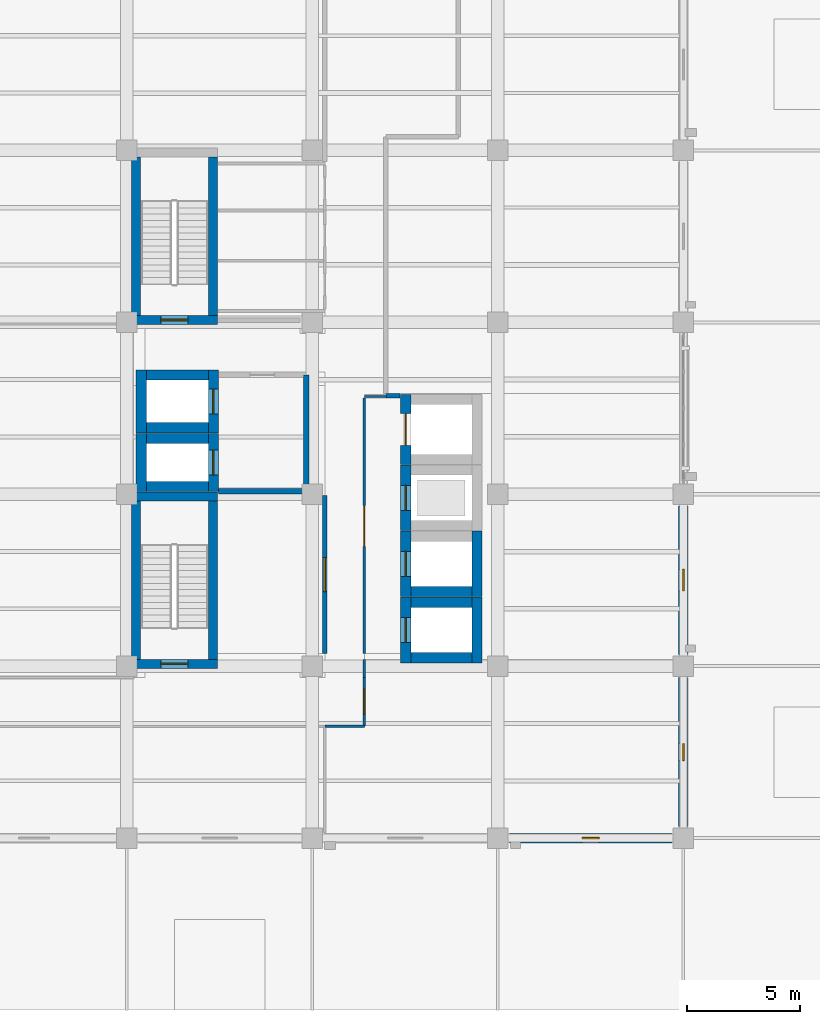
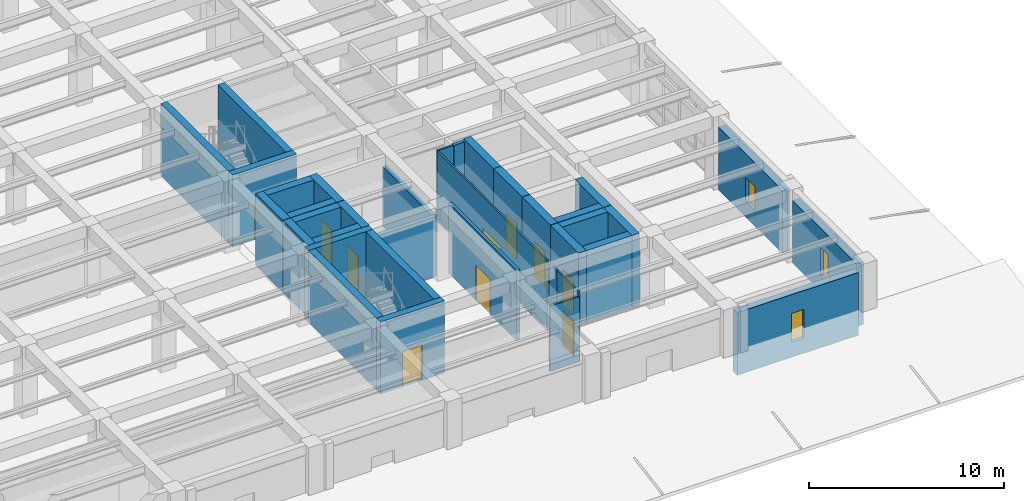
# One storey, part 41 of 57: 36 walls, 11 doors, 3 windows, 14 openings.
"""IFC4 building model written with IfcOpenShell, lengths in metres."""

import ifcopenshell
import ifcopenshell.guid

model = None  # the IFC model being written
_history = None  # IfcOwnerHistory: only IFC2X3 demands one
_inside = {}  # id of a spatial element -> (the spatial element, [elements in it])
_under = {}  # id of a project, library or spatial element -> (it, [spatial elements below it])
_declared = {}  # id of a project -> (the project, [libraries it declares])
_typed = {}  # id of a type object -> (the type object, [elements of that type])
_made_of = {}  # id of a material, layer set ... -> (it, [elements and type objects made of it])


def new_model(schema):
    """Start an empty IFC model of exactly this schema.

    Asked for "IFC4X3", IfcOpenShell would pick the latest addendum, in which some entities
    have other attributes; the version numbers below select the first issue.
    IFC2X3 requires an IfcOwnerHistory on every rooted entity: one is made here for all.
    """
    global model, _history
    if schema == "IFC4X3":
        model = ifcopenshell.file(schema_version=(4, 3, 0, 0))
    else:
        model = ifcopenshell.file(schema=schema)
    _inside.clear()
    _under.clear()
    _declared.clear()
    _typed.clear()
    _made_of.clear()
    _history = None
    if model.schema == "IFC2X3":
        org = make("IfcOrganization", Name="unknown")
        user = make(
            "IfcPersonAndOrganization",
            ThePerson=make("IfcPerson", FamilyName="unknown"),
            TheOrganization=org,
        )
        app = make(
            "IfcApplication",
            ApplicationDeveloper=org,
            Version="unknown",
            ApplicationFullName="unknown",
            ApplicationIdentifier="unknown",
        )
        _history = make(
            "IfcOwnerHistory",
            OwningUser=user,
            OwningApplication=app,
            ChangeAction="ADDED",
            CreationDate=0,
        )
    return model


def make(cls, **values):
    """One entity of the class cls with the attributes given. An attribute that is None is left unset."""
    return model.create_entity(
        cls, **{name: value for name, value in values.items() if value is not None}
    )


def rooted(cls, **values):
    """An entity with a GlobalId (a new one), such as an element, a storey or a relation."""
    return make(cls, GlobalId=ifcopenshell.guid.new(), OwnerHistory=_history, **values)


def si_unit(unit_type, name, prefix=None):
    """IfcSIUnit, for example si_unit("LENGTHUNIT", "METRE", prefix="MILLI")."""
    return make("IfcSIUnit", UnitType=unit_type, Prefix=prefix, Name=name)


def assignment(units):
    """IfcUnitAssignment: the units of a project."""
    return None if units is None else make("IfcUnitAssignment", Units=units)


def point(xyz):
    """IfcCartesianPoint."""
    return None if xyz is None else make("IfcCartesianPoint", Coordinates=xyz)


def direction(xyz):
    """IfcDirection."""
    return None if xyz is None else make("IfcDirection", DirectionRatios=xyz)


def frame(location, z_axis=None, x_axis=None):
    """IfcAxis2Placement3D, a coordinate frame: its origin and axes. An axis left out is left unset."""
    return make(
        "IfcAxis2Placement3D",
        Location=point(location),
        Axis=direction(z_axis),
        RefDirection=direction(x_axis),
    )


def frame_2d(location, x_axis=None):
    """IfcAxis2Placement2D, a coordinate frame in the plane: its origin and x axis."""
    return make(
        "IfcAxis2Placement2D", Location=point(location), RefDirection=direction(x_axis)
    )


def origin():
    """The frame at (0, 0, 0) with its axes left unset."""
    return frame((0.0, 0.0, 0.0))


def place(relative_to, where):
    """IfcLocalPlacement: puts the frame where relative to a parent placement (None: the world)."""
    return make(
        "IfcLocalPlacement", PlacementRelTo=relative_to, RelativePlacement=where
    )


def context(
    kind, dimensions, precision=None, world=None, true_north=None, identifier=None
):
    """IfcGeometricRepresentationContext, for example the 3D "Model" context."""
    return make(
        "IfcGeometricRepresentationContext",
        ContextIdentifier=identifier,
        ContextType=kind,
        CoordinateSpaceDimension=dimensions,
        Precision=precision,
        WorldCoordinateSystem=world,
        TrueNorth=true_north,
    )


def subcontext(parent, identifier, kind, view, scale=None):
    """IfcGeometricRepresentationSubContext, for example "Body" below "Model"."""
    return make(
        "IfcGeometricRepresentationSubContext",
        ContextIdentifier=identifier,
        ContextType=kind,
        ParentContext=parent,
        TargetScale=scale,
        TargetView=view,
    )


def project(units=None, contexts=None):
    """IfcProject with its units and contexts."""
    return rooted(
        "IfcProject",
        Name="project",
        RepresentationContexts=contexts,
        UnitsInContext=assignment(units),
    )


def spatial(cls, under=None, at=None, **own):
    """A site, building, storey or space (cls), placed at a placement, below another one or the project."""
    s = rooted(cls, ObjectPlacement=at, **own)
    if under is not None:
        _under.setdefault(under.id(), (under, []))[1].append(s)
    return s


def profile(cls, at=None, kind="AREA", **sizes):
    """A parametric profile (cls). Its sizes go by their IFC names, for example OverallWidth=200.0."""
    return make(cls, ProfileType=kind, Position=at, **sizes)


def rectangle(**sizes):
    """IfcRectangleProfileDef."""
    return profile("IfcRectangleProfileDef", **sizes)


def extrude(swept, where, along, depth):
    """IfcExtrudedAreaSolid: the profile swept, set in the frame where, extruded along a direction by depth."""
    return make(
        "IfcExtrudedAreaSolid",
        SweptArea=swept,
        Position=where,
        ExtrudedDirection=direction(along),
        Depth=depth,
    )


def shape(context_of_items, identifier, shape_type, items):
    """IfcShapeRepresentation: the items that make up one representation, for example the "Body"."""
    return make(
        "IfcShapeRepresentation",
        ContextOfItems=context_of_items,
        RepresentationIdentifier=identifier,
        RepresentationType=shape_type,
        Items=items,
    )


def material(Name=None, Category=None):
    """IfcMaterial."""
    return make("IfcMaterial", Name=Name, Category=Category)


def layer(
    of_material, thickness, ventilated=None, Name=None, Category=None, Priority=None
):
    """IfcMaterialLayer: one layer of a wall or slab, of a material (None: an air gap)."""
    return make(
        "IfcMaterialLayer",
        Material=of_material,
        LayerThickness=thickness,
        IsVentilated=ventilated,
        Name=Name,
        Category=Category,
        Priority=Priority,
    )


def layer_set(layers, Name=None):
    """IfcMaterialLayerSet."""
    return make("IfcMaterialLayerSet", MaterialLayers=layers, LayerSetName=Name)


def made_of(thing, what):
    """Note that an element or type object is made of a material, layer set ...; save() writes the relation."""
    if what is not None:
        _made_of.setdefault(what.id(), (what, []))[1].append(thing)
    return thing


def type_object(cls, material=None, **own):
    """A type object (cls), such as IfcWallType, which elements share."""
    return made_of(rooted(cls, **own), material)


def element(
    cls,
    number,
    at=None,
    inside=None,
    cuts=None,
    type_object=None,
    material=None,
    context=None,
    identifier="Body",
    shape_type=None,
    held_by="IfcProductDefinitionShape",
    body=None,
    shapes=None,
    **own,
):
    """One element of the class cls, such as IfcWall. Its Tag is "e" and its number.

    at: its placement. inside: the storey or other place that contains it. cuts: it is an
    opening in that element (IfcRelVoidsElement). A single representation is given by context,
    identifier, shape_type and body (its items); several are given by shapes. held_by: the class
    of the entity that holds the representations. save() writes the other relations.
    """
    e = rooted(cls, Tag="e%d" % number, ObjectPlacement=at, **own)
    if body is not None:
        shapes = [shape(context, identifier, shape_type, body)]
    if shapes is not None:
        e.Representation = make(held_by, Representations=shapes)
    if inside is not None:
        _inside.setdefault(inside.id(), (inside, []))[1].append(e)
    if cuts is not None:
        rooted(
            "IfcRelVoidsElement", RelatingBuildingElement=cuts, RelatedOpeningElement=e
        )
    if type_object is not None:
        _typed.setdefault(type_object.id(), (type_object, []))[1].append(e)
    return made_of(e, material)


def fill(opening, filler):
    """IfcRelFillsElement: the door or window that sits in an opening."""
    return rooted(
        "IfcRelFillsElement",
        RelatingOpeningElement=opening,
        RelatedBuildingElement=filler,
    )


def aggregate(whole, parts):
    """IfcRelAggregates: a whole, such as a stair, and the parts it consists of."""
    return rooted("IfcRelAggregates", RelatingObject=whole, RelatedObjects=parts)


def save(model, path):
    """Write the relations noted so far, then the file.

    IfcRelAggregates (storeys below a building ...), IfcRelContainedInSpatialStructure (elements
    in a storey), IfcRelDefinesByType, IfcRelAssociatesMaterial and IfcRelDeclares: one each for
    every whole, place, type object, material and project.
    """
    for whole, parts in _under.values():
        aggregate(whole, parts)
    for where, things in _inside.values():
        rooted(
            "IfcRelContainedInSpatialStructure",
            RelatedElements=things,
            RelatingStructure=where,
        )
    for kind, things in _typed.values():
        rooted("IfcRelDefinesByType", RelatedObjects=things, RelatingType=kind)
    for what, things in _made_of.values():
        rooted("IfcRelAssociatesMaterial", RelatedObjects=things, RelatingMaterial=what)
    for by, libraries in _declared.values():
        rooted("IfcRelDeclares", RelatingContext=by, RelatedDefinitions=libraries)
    model.write(path)


model = new_model("IFC4")

# Units and contexts
model_context = context("Model", 3, precision=1e-05, world=origin(), true_north=direction((0.0, 1.0)))
body_context = subcontext(model_context, "Body", "Model", "MODEL_VIEW")
ifc_project = project(units=[si_unit("LENGTHUNIT", "METRE"), si_unit("AREAUNIT", "SQUARE_METRE"), si_unit("VOLUMEUNIT", "CUBIC_METRE"), si_unit("PLANEANGLEUNIT", "RADIAN"), si_unit("MASSUNIT", "GRAM", prefix="KILO")], contexts=[model_context])

# Site, building, storey
site_placement = place(None, origin())
site = spatial("IfcSite", under=ifc_project, at=site_placement, CompositionType="ELEMENT")
building_placement = place(site_placement, origin())
building = spatial("IfcBuilding", under=site, at=building_placement, Name="Qandaris Square Conservatory and Botanical Centre", CompositionType="ELEMENT")
storey_placement = place(building_placement, frame((0.0, 0.0, 5.39990234375)))
storey = spatial("IfcBuildingStorey", under=building, at=storey_placement, Name="L01", CompositionType="ELEMENT", Elevation=5.39990234375)

# Walls
ifc_material_1 = material(Name="Concrete C40/50", Category="concrete")
ifc_layer_1 = layer(ifc_material_1, 0.25)
ifc_layer_set_1 = layer_set([ifc_layer_1], Name="Concrete C40/50")
wall_type_1 = type_object("IfcWallType", Name="Firefighting Lobby Compartment Wall 250mm", PredefinedType="SOLIDWALL", material=ifc_layer_set_1)
wall_1_placement = place(storey_placement, frame((143.25, 31.925048828125, 0.0), z_axis=(0.0, 0.0, 1.0), x_axis=(1.0, 0.0, 0.0)))
element("IfcWall", 1, at=wall_1_placement, inside=storey, type_object=wall_type_1, Name="Firefighting Lobby Wall South (L01)", PredefinedType="SOLIDWALL", context=body_context, shape_type="SweptSolid", body=[
    extrude(rectangle(XDim=3.875, YDim=0.25, at=frame_2d((1.9375, 0.0))), origin(), (0.0, 0.0, 1.0), 3.755126953125),
])
wall_2_placement = place(storey_placement, frame((147.125, 31.925048828125, 0.0), z_axis=(0.0, 0.0, 1.0), x_axis=(0.0, 1.0, 0.0)))
element("IfcWall", 2, at=wall_2_placement, inside=storey, type_object=wall_type_1, Name="Firefighting Lobby Wall East (L01)", PredefinedType="SOLIDWALL", context=body_context, shape_type="SweptSolid", body=[
    extrude(rectangle(XDim=5.14990234375, YDim=0.25, at=frame_2d((2.574951171875, 0.0))), origin(), (0.0, 0.0, 1.0), 3.755126953125),
])

# Wall, opening, door
ifc_material_2 = material(Name="Tempered Low-E Glass", Category="glass")
ifc_layer_2 = layer(ifc_material_2, 0.10009765625)
ifc_layer_set_2 = layer_set([ifc_layer_2], Name="Tempered Low-E Glass")
wall_type_2 = type_object("IfcWallType", Name="Framed Acoustic Glazed Gallery Screen 100mm", PredefinedType="PARTITIONING", material=ifc_layer_set_2)
wall_3_placement = place(storey_placement, frame((149.699951171875, 24.75, 0.0), z_axis=(0.0, 0.0, 1.0), x_axis=(0.0, 1.0, 0.0)))
wall_3 = element("IfcWall", 3, at=wall_3_placement, inside=storey, type_object=wall_type_2, Name="Interior Partition IW-L01-0097", PredefinedType="PARTITIONING", context=body_context, shape_type="SweptSolid", body=[
    extrude(rectangle(XDim=11.300048828125, YDim=0.10009765625, at=frame_2d((5.64990234375, 0.0))), origin(), (0.0, 0.0, 1.0), 4.405029296875),
])
opening_1_placement = place(wall_3_placement, frame((4.75, 0.0, 0.0)))
opening_1 = element("IfcOpeningElement", 4, at=opening_1_placement, cuts=wall_3, Name="Opening D-GL1", PredefinedType="OPENING", context=body_context, shape_type="SweptSolid", body=[
    extrude(rectangle(XDim=1.800048828125, YDim=2.39990234375, at=frame_2d((0.89990234375, 1.199951171875))), frame((0.0, 0.06201171875, 0.0), z_axis=(0.0, -1.0, 0.0), x_axis=(1.0, 0.0, 0.0)), (0.0, 0.0, 1.0), 0.1240234375),
])
ifc_material_3 = material(Name="Anodised Aluminium", Category="aluminium")
door_type_1 = type_object("IfcDoorType", Name="Visitor Gallery Glazed Double Door 1800x2400", OperationType="DOUBLE_DOOR_SINGLE_SWING", PredefinedType="DOOR", material=ifc_material_3)
door_1_placement = place(opening_1_placement, frame((1.800048828125, 0.0, 0.0), z_axis=(0.0, 0.0, 1.0), x_axis=(-1.0, 0.0, 0.0)))
door_1 = element("IfcDoor", 5, at=door_1_placement, inside=storey, type_object=door_type_1, Name="DR-0094 Main Circulation Corridor L01 Door", OperationType="DOUBLE_DOOR_SINGLE_SWING", OverallHeight=2.39990234375, OverallWidth=1.800048828125, PredefinedType="DOOR", context=body_context, shape_type="SweptSolid", body=[
    extrude(rectangle(XDim=1.800048828125, YDim=2.39990234375, at=frame_2d((0.89990234375, 1.199951171875))), frame((0.0, 0.02490234375, 0.0), z_axis=(0.0, -1.0, 0.0), x_axis=(1.0, 0.0, 0.0)), (0.0, 0.0, 1.0), 0.050048828125),
])
fill(opening_1, door_1)

# Walls
wall_4_placement = place(storey_placement, frame((149.699951171875, 36.125, 0.0), z_axis=(0.0, 0.0, 1.0), x_axis=(1.0, 0.0, 0.0)))
element("IfcWall", 6, at=wall_4_placement, inside=storey, type_object=wall_type_2, Name="Interior Partition IW-L01-0098", PredefinedType="PARTITIONING", context=body_context, shape_type="SweptSolid", body=[
    extrude(rectangle(XDim=0.949951171875, YDim=0.10009765625, at=frame_2d((0.47509765625, 0.0))), origin(), (0.0, 0.0, 1.0), 4.405029296875),
])
wall_5_placement = place(storey_placement, frame((149.699951171875, 24.5, 0.0), z_axis=(0.0, 0.0, 1.0), x_axis=(0.0, -1.0, 0.0)))
element("IfcWall", 7, at=wall_5_placement, inside=storey, type_object=wall_type_2, Name="Interior Partition IW-L01-0107", PredefinedType="PARTITIONING", context=body_context, shape_type="SweptSolid", body=[
    extrude(rectangle(XDim=0.800048828125, YDim=0.10009765625, at=frame_2d((0.39990234375, 0.0))), origin(), (0.0, 0.0, 1.0), 4.405029296875),
])

# Wall, opening, door
wall_6_placement = place(storey_placement, frame((149.699951171875, 23.699951171875, 0.0), z_axis=(0.0, 0.0, 1.0), x_axis=(0.0, -1.0, 0.0)))
wall_6 = element("IfcWall", 8, at=wall_6_placement, inside=storey, type_object=wall_type_2, Name="Interior Partition IW-L01-0108", PredefinedType="PARTITIONING", context=body_context, shape_type="SweptSolid", body=[
    extrude(rectangle(XDim=2.14990234375, YDim=0.10009765625, at=frame_2d((1.074951171875, 0.0))), origin(), (0.0, 0.0, 1.0), 4.405029296875),
])
opening_2_placement = place(wall_6_placement, frame((0.52490234375, 0.0, 0.0)))
opening_2 = element("IfcOpeningElement", 9, at=opening_2_placement, cuts=wall_6, Name="Opening D-FFL", PredefinedType="OPENING", context=body_context, shape_type="SweptSolid", body=[
    extrude(rectangle(XDim=1.10009765625, YDim=2.199951171875, at=frame_2d((0.550048828125, 1.10009765625))), frame((0.0, 0.06201171875, 0.0), z_axis=(0.0, -1.0, 0.0), x_axis=(1.0, 0.0, 0.0)), (0.0, 0.0, 1.0), 0.1240234375),
])
ifc_material_4 = material(Name="Steel S355", Category="steel")
door_type_2 = type_object("IfcDoorType", Name="Firefighting Lobby Smoke-Seal Door 1100x2200", OperationType="NOTDEFINED", PredefinedType="DOOR", material=ifc_material_4)
door_2_placement = place(opening_2_placement, origin())
door_2 = element("IfcDoor", 10, at=door_2_placement, inside=storey, type_object=door_type_2, Name="DR-0092 Qatari Flora Seminar Room Door", OperationType="SINGLE_SWING_RIGHT", OverallHeight=2.199951171875, OverallWidth=1.10009765625, PredefinedType="DOOR", context=body_context, shape_type="SweptSolid", body=[
    extrude(rectangle(XDim=1.10009765625, YDim=2.199951171875, at=frame_2d((0.550048828125, 1.10009765625))), frame((0.0, 0.02490234375, 0.0), z_axis=(0.0, -1.0, 0.0), x_axis=(1.0, 0.0, 0.0)), (0.0, 0.0, 1.0), 0.050048828125),
])
fill(opening_2, door_2)

# Wall
wall_7_placement = place(storey_placement, frame((149.699951171875, 21.550048828125, 0.0), z_axis=(0.0, 0.0, 1.0), x_axis=(-1.0, 0.0, 0.0)))
element("IfcWall", 11, at=wall_7_placement, inside=storey, type_object=wall_type_2, Name="Interior Partition IW-L01-0109", PredefinedType="PARTITIONING", context=body_context, shape_type="SweptSolid", body=[
    extrude(rectangle(XDim=1.75, YDim=0.10009765625, at=frame_2d((0.875, 0.0))), origin(), (0.0, 0.0, 1.0), 4.09521484375),
])

# Wall, opening, door
ifc_layer_3 = layer(ifc_material_1, 0.199951171875)
ifc_layer_set_3 = layer_set([ifc_layer_3], Name="Concrete C40/50")
wall_type_3 = type_object("IfcWallType", Name="Herbarium & Plant Compartment Wall 200mm", PredefinedType="PARTITIONING", material=ifc_layer_set_3)
wall_8_placement = place(storey_placement, frame((147.949951171875, 31.75, 0.0), z_axis=(0.0, 0.0, 1.0), x_axis=(0.0, -1.0, 0.0)))
wall_8 = element("IfcWall", 12, at=wall_8_placement, inside=storey, type_object=wall_type_3, Name="Interior Partition IW-L01-0096", PredefinedType="PARTITIONING", context=body_context, shape_type="SweptSolid", body=[
    extrude(rectangle(XDim=7.0, YDim=0.199951171875, at=frame_2d((3.5, 0.0))), origin(), (0.0, 0.0, 1.0), 4.405029296875),
])
opening_3_placement = place(wall_8_placement, frame((2.75, 0.0, 0.0)))
opening_3 = element("IfcOpeningElement", 13, at=opening_3_placement, cuts=wall_8, Name="Opening D-PLT1", PredefinedType="OPENING", context=body_context, shape_type="SweptSolid", body=[
    extrude(rectangle(XDim=1.5, YDim=2.199951171875, at=frame_2d((0.75, 1.10009765625))), frame((0.0, 0.11181640625, 0.0), z_axis=(0.0, -1.0, 0.0), x_axis=(1.0, 0.0, 0.0)), (0.0, 0.0, 1.0), 0.223876953125),
])
door_type_3 = type_object("IfcDoorType", Name="Plant & Riser Double Fire Door 1500x2200", OperationType="DOUBLE_DOOR_SINGLE_SWING", PredefinedType="DOOR", material=ifc_material_4)
door_3_placement = place(opening_3_placement, origin())
door_3 = element("IfcDoor", 14, at=door_3_placement, inside=storey, type_object=door_type_3, Name="DR-0108 Electrical and Telecom Riser Room L01 Door", OperationType="DOUBLE_DOOR_SINGLE_SWING", OverallHeight=2.199951171875, OverallWidth=1.5, PredefinedType="DOOR", context=body_context, shape_type="SweptSolid", body=[
    extrude(rectangle(XDim=1.5, YDim=2.199951171875, at=frame_2d((0.75, 1.10009765625))), frame((0.0, 0.02490234375, 0.0), z_axis=(0.0, -1.0, 0.0), x_axis=(1.0, 0.0, 0.0)), (0.0, 0.0, 1.0), 0.050048828125),
])
fill(opening_3, door_3)

# Wall
wall_9_placement = place(storey_placement, frame((150.64990234375, 36.14990234375, 0.0), z_axis=(0.0, 0.0, 1.0), x_axis=(1.0, 0.0, 0.0)))
element("IfcWall", 15, at=wall_9_placement, inside=storey, type_object=wall_type_3, Name="Interior Partition IW-L01-0099", PredefinedType="PARTITIONING", context=body_context, shape_type="SweptSolid", body=[
    extrude(rectangle(XDim=0.6201171875, YDim=0.199951171875, at=frame_2d((0.31005859375, 0.0))), origin(), (0.0, 0.0, 1.0), 4.405029296875),
])

# Wall, opening, window
ifc_layer_4 = layer(ifc_material_1, 0.419921875)
ifc_layer_set_4 = layer_set([ifc_layer_4], Name="Concrete C40/50")
wall_type_4 = type_object("IfcWallType", Name="Insulated Qatari Limestone Cavity Wall 420mm", PredefinedType="SOLIDWALL", material=ifc_layer_set_4)
wall_10_placement = place(storey_placement, frame((156.110107421875, 16.60009765625, 0.0), z_axis=(0.0, 0.0, 1.0), x_axis=(1.0, 0.0, 0.0)))
wall_10 = element("IfcWall", 16, at=wall_10_placement, inside=storey, type_object=wall_type_4, Name="Exterior Wall EW-TWR-L01-1-8", PredefinedType="SOLIDWALL", context=body_context, shape_type="SweptSolid", body=[
    extrude(rectangle(XDim=7.179931640625, YDim=0.419921875, at=frame_2d((3.58984375, 0.0))), origin(), (0.0, 0.0, 1.0), 3.93017578125),
])
opening_4_placement = place(wall_10_placement, frame((3.215087890625, 0.0, 0.949951171875)))
opening_4 = element("IfcOpeningElement", 17, at=opening_4_placement, cuts=wall_10, Name="Opening WN-03", PredefinedType="OPENING", context=body_context, shape_type="SweptSolid", body=[
    extrude(rectangle(XDim=0.75, YDim=1.800048828125, at=frame_2d((0.375, 0.89990234375))), frame((0.0, 0.221923828125, 0.0), z_axis=(0.0, -1.0, 0.0), x_axis=(1.0, 0.0, 0.0)), (0.0, 0.0, 1.0), 0.44384765625),
])
window_type_1 = type_object("IfcWindowType", Name="Herbarium UV-Filtered Slot Window 750x1800", PartitioningType="SINGLE_PANEL", PredefinedType="WINDOW", material=ifc_material_2)
window_1_placement = place(opening_4_placement, origin())
window_1 = element("IfcWindow", 18, at=window_1_placement, inside=storey, type_object=window_type_1, Name="Window EW-TWR-L01-1-8", OverallHeight=1.800048828125, OverallWidth=0.75, PartitioningType="SINGLE_PANEL", PredefinedType="WINDOW", context=body_context, shape_type="SweptSolid", body=[
    extrude(rectangle(XDim=0.75, YDim=1.800048828125, at=frame_2d((0.375, 0.89990234375))), frame((0.0, 0.030029296875, 0.0), z_axis=(0.0, -1.0, 0.0), x_axis=(1.0, 0.0, 0.0)), (0.0, 0.0, 1.0), 0.06005859375),
])
fill(opening_4, window_1)

wall_11_placement = place(storey_placement, frame((163.800048828125, 17.110107421875, 0.0), z_axis=(0.0, 0.0, 1.0), x_axis=(0.0, 1.0, 0.0)))
wall_11 = element("IfcWall", 19, at=wall_11_placement, inside=storey, type_object=wall_type_4, Name="Exterior Wall EW-TWR-L01-2-1", PredefinedType="SOLIDWALL", context=body_context, shape_type="SweptSolid", body=[
    extrude(rectangle(XDim=6.579833984375, YDim=0.419921875, at=frame_2d((3.2900390625, 0.0))), origin(), (0.0, 0.0, 1.0), 3.93017578125),
])
opening_5_placement = place(wall_11_placement, frame((2.9150390625, 0.0, 0.949951171875)))
opening_5 = element("IfcOpeningElement", 20, at=opening_5_placement, cuts=wall_11, Name="Opening WN-03", PredefinedType="OPENING", context=body_context, shape_type="SweptSolid", body=[
    extrude(rectangle(XDim=0.75, YDim=1.800048828125, at=frame_2d((0.375, 0.89990234375))), frame((0.0, 0.221923828125, 0.0), z_axis=(0.0, -1.0, 0.0), x_axis=(1.0, 0.0, 0.0)), (0.0, 0.0, 1.0), 0.44384765625),
])
window_2_placement = place(opening_5_placement, origin())
window_2 = element("IfcWindow", 21, at=window_2_placement, inside=storey, type_object=window_type_1, Name="Window EW-TWR-L01-2-1", OverallHeight=1.800048828125, OverallWidth=0.75, PartitioningType="SINGLE_PANEL", PredefinedType="WINDOW", context=body_context, shape_type="SweptSolid", body=[
    extrude(rectangle(XDim=0.75, YDim=1.800048828125, at=frame_2d((0.375, 0.89990234375))), frame((0.0, 0.030029296875, 0.0), z_axis=(0.0, -1.0, 0.0), x_axis=(1.0, 0.0, 0.0)), (0.0, 0.0, 1.0), 0.06005859375),
])
fill(opening_5, window_2)

wall_12_placement = place(storey_placement, frame((163.800048828125, 24.7099609375, 0.0), z_axis=(0.0, 0.0, 1.0), x_axis=(0.0, 1.0, 0.0)))
wall_12 = element("IfcWall", 22, at=wall_12_placement, inside=storey, type_object=wall_type_4, Name="Exterior Wall EW-TWR-L01-2-2", PredefinedType="SOLIDWALL", context=body_context, shape_type="SweptSolid", body=[
    extrude(rectangle(XDim=6.580078125, YDim=0.419921875, at=frame_2d((3.2900390625, 0.0))), origin(), (0.0, 0.0, 1.0), 3.93017578125),
])
opening_6_placement = place(wall_12_placement, frame((2.81494140625, 0.0, 0.949951171875)))
opening_6 = element("IfcOpeningElement", 23, at=opening_6_placement, cuts=wall_12, Name="Opening WN-14", PredefinedType="OPENING", context=body_context, shape_type="SweptSolid", body=[
    extrude(rectangle(XDim=0.949951171875, YDim=1.5, at=frame_2d((0.47509765625, 0.75))), frame((0.0, 0.221923828125, 0.0), z_axis=(0.0, -1.0, 0.0), x_axis=(1.0, 0.0, 0.0)), (0.0, 0.0, 1.0), 0.44384765625),
])
window_type_2 = type_object("IfcWindowType", Name="Solar Control Window 950x1500", PartitioningType="SINGLE_PANEL", PredefinedType="WINDOW", material=ifc_material_2)
window_3_placement = place(opening_6_placement, origin())
window_3 = element("IfcWindow", 24, at=window_3_placement, inside=storey, type_object=window_type_2, Name="Window EW-TWR-L01-2-2", OverallHeight=1.5, OverallWidth=0.949951171875, PartitioningType="SINGLE_PANEL", PredefinedType="WINDOW", context=body_context, shape_type="SweptSolid", body=[
    extrude(rectangle(XDim=0.949951171875, YDim=1.5, at=frame_2d((0.47509765625, 0.75))), frame((0.0, 0.030029296875, 0.0), z_axis=(0.0, -1.0, 0.0), x_axis=(1.0, 0.0, 0.0)), (0.0, 0.0, 1.0), 0.06005859375),
])
fill(opening_6, window_3)

# Walls
ifc_material_5 = material(Name="Concrete C50/60", Category="concrete")
ifc_layer_5 = layer(ifc_material_5, 0.449951171875)
ifc_layer_set_5 = layer_set([ifc_layer_5], Name="Concrete C50/60")
wall_type_5 = type_object("IfcWallType", Name="RC Coupled Core Shear Wall 450mm", PredefinedType="SHEAR", material=ifc_layer_set_5)
for number, where, z_axis, x_axis, name in (
    (25, (140.06005859375, 32.135009765625, 0.0), (0.0, 0.0, 1.0), (1.0, 0.0, 0.0), "Lift FFL1 Shaft Wall South (L01)"),
    (26, (140.06005859375, 34.264892578125, 0.0), (0.0, 0.0, 1.0), (1.0, 0.0, 0.0), "Lift FFL1 Shaft Wall North (L01)"),
):
    element("IfcWall", number, at=place(storey_placement, frame(where, z_axis=z_axis, x_axis=x_axis)), inside=storey, type_object=wall_type_5, Name=name, PredefinedType="SHEAR", context=body_context, shape_type="SweptSolid", body=[
        extrude(rectangle(XDim=2.739990234375, YDim=0.449951171875, at=frame_2d((1.3701171875, 0.0))), origin(), (0.0, 0.0, 1.0), 4.52001953125),
    ])
wall_13_placement = place(storey_placement, frame((139.8349609375, 31.909912109375, 0.0), z_axis=(0.0, 0.0, 1.0), x_axis=(0.0, 1.0, 0.0)))
element("IfcWall", 27, at=wall_13_placement, inside=storey, type_object=wall_type_5, Name="Lift FFL1 Shaft Wall West (L01)", PredefinedType="SHEAR", context=body_context, shape_type="SweptSolid", body=[
    extrude(rectangle(XDim=2.580078125, YDim=0.449951171875, at=frame_2d((1.2900390625, 0.0))), origin(), (0.0, 0.0, 1.0), 4.52001953125),
])

# Wall, opening, door
wall_14_placement = place(storey_placement, frame((143.02490234375, 31.909912109375, 0.0), z_axis=(0.0, 0.0, 1.0), x_axis=(0.0, 1.0, 0.0)))
wall_14 = element("IfcWall", 28, at=wall_14_placement, inside=storey, type_object=wall_type_5, Name="Lift FFL1 Shaft Wall East (L01)", PredefinedType="SHEAR", context=body_context, shape_type="SweptSolid", body=[
    extrude(rectangle(XDim=2.580078125, YDim=0.449951171875, at=frame_2d((1.2900390625, 0.0))), origin(), (0.0, 0.0, 1.0), 4.52001953125),
])
opening_7_placement = place(wall_14_placement, frame((0.739990234375, 0.0, 0.0)))
opening_7 = element("IfcOpeningElement", 29, at=opening_7_placement, cuts=wall_14, Name="Opening LD-FFL", PredefinedType="OPENING", context=body_context, shape_type="SweptSolid", body=[
    extrude(rectangle(XDim=1.10009765625, YDim=2.199951171875, at=frame_2d((0.550048828125, 1.10009765625))), frame((0.0, 0.23681640625, 0.0), z_axis=(0.0, -1.0, 0.0), x_axis=(1.0, 0.0, 0.0)), (0.0, 0.0, 1.0), 0.473876953125),
])
door_type_4 = type_object("IfcDoorType", Name="Firefighting Lift Sliding Landing Door 1100x2200", OperationType="DOUBLE_DOOR_SLIDING", PredefinedType="DOOR", material=ifc_material_4)
door_4_placement = place(opening_7_placement, origin())
door_4 = element("IfcDoor", 30, at=door_4_placement, inside=storey, type_object=door_type_4, Name="DR-0119 Lift FFL1 Landing Door (L01)", OperationType="DOUBLE_DOOR_SLIDING", OverallHeight=2.199951171875, OverallWidth=1.10009765625, PredefinedType="DOOR", context=body_context, shape_type="SweptSolid", body=[
    extrude(rectangle(XDim=1.10009765625, YDim=2.199951171875, at=frame_2d((0.550048828125, 1.10009765625))), frame((0.0, 0.02490234375, 0.0), z_axis=(0.0, -1.0, 0.0), x_axis=(1.0, 0.0, 0.0)), (0.0, 0.0, 1.0), 0.050048828125),
])
fill(opening_7, door_4)

# Walls
for number, where, z_axis, x_axis, name in (
    (31, (140.06005859375, 34.735107421875, 0.0), (0.0, 0.0, 1.0), (1.0, 0.0, 0.0), "Lift FFL2 Shaft Wall South (L01)"),
    (32, (140.06005859375, 37.06494140625, 0.0), (0.0, 0.0, 1.0), (1.0, 0.0, 0.0), "Lift FFL2 Shaft Wall North (L01)"),
):
    element("IfcWall", number, at=place(storey_placement, frame(where, z_axis=z_axis, x_axis=x_axis)), inside=storey, type_object=wall_type_5, Name=name, PredefinedType="SHEAR", context=body_context, shape_type="SweptSolid", body=[
        extrude(rectangle(XDim=2.739990234375, YDim=0.449951171875, at=frame_2d((1.3701171875, 0.0))), origin(), (0.0, 0.0, 1.0), 4.52001953125),
    ])
wall_15_placement = place(storey_placement, frame((139.8349609375, 34.510009765625, 0.0), z_axis=(0.0, 0.0, 1.0), x_axis=(0.0, 1.0, 0.0)))
element("IfcWall", 33, at=wall_15_placement, inside=storey, type_object=wall_type_5, Name="Lift FFL2 Shaft Wall West (L01)", PredefinedType="SHEAR", context=body_context, shape_type="SweptSolid", body=[
    extrude(rectangle(XDim=2.780029296875, YDim=0.449951171875, at=frame_2d((1.39013671875, 0.0))), origin(), (0.0, 0.0, 1.0), 4.52001953125),
])

# Wall, opening, door
wall_16_placement = place(storey_placement, frame((143.02490234375, 34.510009765625, 0.0), z_axis=(0.0, 0.0, 1.0), x_axis=(0.0, 1.0, 0.0)))
wall_16 = element("IfcWall", 34, at=wall_16_placement, inside=storey, type_object=wall_type_5, Name="Lift FFL2 Shaft Wall East (L01)", PredefinedType="SHEAR", context=body_context, shape_type="SweptSolid", body=[
    extrude(rectangle(XDim=2.780029296875, YDim=0.449951171875, at=frame_2d((1.39013671875, 0.0))), origin(), (0.0, 0.0, 1.0), 4.52001953125),
])
opening_8_placement = place(wall_16_placement, frame((0.840087890625, 0.0, 0.0)))
opening_8 = element("IfcOpeningElement", 35, at=opening_8_placement, cuts=wall_16, Name="Opening LD-FFL", PredefinedType="OPENING", context=body_context, shape_type="SweptSolid", body=[
    extrude(rectangle(XDim=1.10009765625, YDim=2.199951171875, at=frame_2d((0.550048828125, 1.10009765625))), frame((0.0, 0.23681640625, 0.0), z_axis=(0.0, -1.0, 0.0), x_axis=(1.0, 0.0, 0.0)), (0.0, 0.0, 1.0), 0.473876953125),
])
door_5_placement = place(opening_8_placement, origin())
door_5 = element("IfcDoor", 36, at=door_5_placement, inside=storey, type_object=door_type_4, Name="DR-0120 Lift FFL2 Landing Door (L01)", OperationType="DOUBLE_DOOR_SLIDING", OverallHeight=2.199951171875, OverallWidth=1.10009765625, PredefinedType="DOOR", context=body_context, shape_type="SweptSolid", body=[
    extrude(rectangle(XDim=1.10009765625, YDim=2.199951171875, at=frame_2d((0.550048828125, 1.10009765625))), frame((0.0, 0.02490234375, 0.0), z_axis=(0.0, -1.0, 0.0), x_axis=(1.0, 0.0, 0.0)), (0.0, 0.0, 1.0), 0.050048828125),
])
fill(opening_8, door_5)

# Walls
for number, where, z_axis, x_axis, name in (
    (37, (151.75, 24.574951171875, 0.0), (0.0, 0.0, 1.0), (1.0, 0.0, 0.0), "Lift PL1 Shaft Wall South (L01)"),
    (38, (151.75, 27.02490234375, 0.0), (0.0, 0.0, 1.0), (1.0, 0.0, 0.0), "Lift PL1 Shaft Wall North (L01)"),
):
    element("IfcWall", number, at=place(storey_placement, frame(where, z_axis=z_axis, x_axis=x_axis)), inside=storey, type_object=wall_type_5, Name=name, PredefinedType="SHEAR", context=body_context, shape_type="SweptSolid", body=[
        extrude(rectangle(XDim=2.699951171875, YDim=0.449951171875, at=frame_2d((1.35009765625, 0.0))), origin(), (0.0, 0.0, 1.0), 4.52001953125),
    ])

# Wall, opening, door
wall_17_placement = place(storey_placement, frame((151.52490234375, 24.35009765625, 0.0), z_axis=(0.0, 0.0, 1.0), x_axis=(0.0, 1.0, 0.0)))
wall_17 = element("IfcWall", 39, at=wall_17_placement, inside=storey, type_object=wall_type_5, Name="Lift PL1 Shaft Wall West (L01)", PredefinedType="SHEAR", context=body_context, shape_type="SweptSolid", body=[
    extrude(rectangle(XDim=2.89990234375, YDim=0.449951171875, at=frame_2d((1.449951171875, 0.0))), origin(), (0.0, 0.0, 1.0), 4.52001953125),
])
opening_9_placement = place(wall_17_placement, frame((0.89990234375, 0.0, 0.0)))
opening_9 = element("IfcOpeningElement", 40, at=opening_9_placement, cuts=wall_17, Name="Opening LD-PAX", PredefinedType="OPENING", context=body_context, shape_type="SweptSolid", body=[
    extrude(rectangle(XDim=1.10009765625, YDim=2.199951171875, at=frame_2d((0.550048828125, 1.10009765625))), frame((0.0, 0.23681640625, 0.0), z_axis=(0.0, -1.0, 0.0), x_axis=(1.0, 0.0, 0.0)), (0.0, 0.0, 1.0), 0.473876953125),
])
door_type_5 = type_object("IfcDoorType", Name="Passenger Lift Sliding Landing Door 1100x2200", OperationType="DOUBLE_DOOR_SLIDING", PredefinedType="DOOR", material=ifc_material_3)
door_6_placement = place(opening_9_placement, origin())
door_6 = element("IfcDoor", 41, at=door_6_placement, inside=storey, type_object=door_type_5, Name="DR-0123 Lift PL1 Landing Door (L01)", OperationType="DOUBLE_DOOR_SLIDING", OverallHeight=2.199951171875, OverallWidth=1.10009765625, PredefinedType="DOOR", context=body_context, shape_type="SweptSolid", body=[
    extrude(rectangle(XDim=1.10009765625, YDim=2.199951171875, at=frame_2d((0.550048828125, 1.10009765625))), frame((0.0, 0.02490234375, 0.0), z_axis=(0.0, -1.0, 0.0), x_axis=(1.0, 0.0, 0.0)), (0.0, 0.0, 1.0), 0.050048828125),
])
fill(opening_9, door_6)

# Walls
wall_18_placement = place(storey_placement, frame((154.675048828125, 24.35009765625, 0.0), z_axis=(0.0, 0.0, 1.0), x_axis=(0.0, 1.0, 0.0)))
element("IfcWall", 42, at=wall_18_placement, inside=storey, type_object=wall_type_5, Name="Lift PL1 Shaft Wall East (L01)", PredefinedType="SHEAR", context=body_context, shape_type="SweptSolid", body=[
    extrude(rectangle(XDim=2.89990234375, YDim=0.449951171875, at=frame_2d((1.449951171875, 0.0))), origin(), (0.0, 0.0, 1.0), 4.52001953125),
])
wall_19_placement = place(storey_placement, frame((151.75, 27.4951171875, 0.0), z_axis=(0.0, 0.0, 1.0), x_axis=(1.0, 0.0, 0.0)))
element("IfcWall", 43, at=wall_19_placement, inside=storey, type_object=wall_type_5, Name="Lift PL2 Shaft Wall South (L01)", PredefinedType="SHEAR", context=body_context, shape_type="SweptSolid", body=[
    extrude(rectangle(XDim=2.699951171875, YDim=0.449951171875, at=frame_2d((1.35009765625, 0.0))), origin(), (0.0, 0.0, 1.0), 4.52001953125),
])

# Wall, opening, door
wall_20_placement = place(storey_placement, frame((151.52490234375, 27.27001953125, 0.0), z_axis=(0.0, 0.0, 1.0), x_axis=(0.0, 1.0, 0.0)))
wall_20 = element("IfcWall", 44, at=wall_20_placement, inside=storey, type_object=wall_type_5, Name="Lift PL2 Shaft Wall West (L01)", PredefinedType="SHEAR", context=body_context, shape_type="SweptSolid", body=[
    extrude(rectangle(XDim=2.89990234375, YDim=0.449951171875, at=frame_2d((1.449951171875, 0.0))), origin(), (0.0, 0.0, 1.0), 4.52001953125),
])
opening_10_placement = place(wall_20_placement, frame((0.89990234375, 0.0, 0.0)))
opening_10 = element("IfcOpeningElement", 45, at=opening_10_placement, cuts=wall_20, Name="Opening LD-PAX", PredefinedType="OPENING", context=body_context, shape_type="SweptSolid", body=[
    extrude(rectangle(XDim=1.10009765625, YDim=2.199951171875, at=frame_2d((0.550048828125, 1.10009765625))), frame((0.0, 0.23681640625, 0.0), z_axis=(0.0, -1.0, 0.0), x_axis=(1.0, 0.0, 0.0)), (0.0, 0.0, 1.0), 0.473876953125),
])
door_7_placement = place(opening_10_placement, origin())
door_7 = element("IfcDoor", 46, at=door_7_placement, inside=storey, type_object=door_type_5, Name="DR-0124 Lift PL2 Landing Door (L01)", OperationType="DOUBLE_DOOR_SLIDING", OverallHeight=2.199951171875, OverallWidth=1.10009765625, PredefinedType="DOOR", context=body_context, shape_type="SweptSolid", body=[
    extrude(rectangle(XDim=1.10009765625, YDim=2.199951171875, at=frame_2d((0.550048828125, 1.10009765625))), frame((0.0, 0.02490234375, 0.0), z_axis=(0.0, -1.0, 0.0), x_axis=(1.0, 0.0, 0.0)), (0.0, 0.0, 1.0), 0.050048828125),
])
fill(opening_10, door_7)

# Wall
wall_21_placement = place(storey_placement, frame((154.675048828125, 27.27001953125, 0.0), z_axis=(0.0, 0.0, 1.0), x_axis=(0.0, 1.0, 0.0)))
element("IfcWall", 47, at=wall_21_placement, inside=storey, type_object=wall_type_5, Name="Lift PL2 Shaft Wall East (L01)", PredefinedType="SHEAR", context=body_context, shape_type="SweptSolid", body=[
    extrude(rectangle(XDim=2.89990234375, YDim=0.449951171875, at=frame_2d((1.449951171875, 0.0))), origin(), (0.0, 0.0, 1.0), 4.52001953125),
])

# Wall, opening, door
wall_22_placement = place(storey_placement, frame((151.52490234375, 30.18994140625, 0.0), z_axis=(0.0, 0.0, 1.0), x_axis=(0.0, 1.0, 0.0)))
wall_22 = element("IfcWall", 48, at=wall_22_placement, inside=storey, type_object=wall_type_5, Name="Lift PL3 Shaft Wall West (L01)", PredefinedType="SHEAR", context=body_context, shape_type="SweptSolid", body=[
    extrude(rectangle(XDim=2.900146484375, YDim=0.449951171875, at=frame_2d((1.4501953125, 0.0))), origin(), (0.0, 0.0, 1.0), 4.52001953125),
])
opening_11_placement = place(wall_22_placement, frame((0.89990234375, 0.0, 0.0)))
opening_11 = element("IfcOpeningElement", 49, at=opening_11_placement, cuts=wall_22, Name="Opening LD-PAX", PredefinedType="OPENING", context=body_context, shape_type="SweptSolid", body=[
    extrude(rectangle(XDim=1.10009765625, YDim=2.199951171875, at=frame_2d((0.550048828125, 1.10009765625))), frame((0.0, 0.23681640625, 0.0), z_axis=(0.0, -1.0, 0.0), x_axis=(1.0, 0.0, 0.0)), (0.0, 0.0, 1.0), 0.473876953125),
])
door_8_placement = place(opening_11_placement, origin())
door_8 = element("IfcDoor", 50, at=door_8_placement, inside=storey, type_object=door_type_5, Name="DR-0125 Lift PL3 Landing Door (L01)", OperationType="DOUBLE_DOOR_SLIDING", OverallHeight=2.199951171875, OverallWidth=1.10009765625, PredefinedType="DOOR", context=body_context, shape_type="SweptSolid", body=[
    extrude(rectangle(XDim=1.10009765625, YDim=2.199951171875, at=frame_2d((0.550048828125, 1.10009765625))), frame((0.0, 0.02490234375, 0.0), z_axis=(0.0, -1.0, 0.0), x_axis=(1.0, 0.0, 0.0)), (0.0, 0.0, 1.0), 0.050048828125),
])
fill(opening_11, door_8)

wall_23_placement = place(storey_placement, frame((151.52490234375, 33.110107421875, 0.0), z_axis=(0.0, 0.0, 1.0), x_axis=(0.0, 1.0, 0.0)))
wall_23 = element("IfcWall", 51, at=wall_23_placement, inside=storey, type_object=wall_type_5, Name="Lift GL1 Shaft Wall West (L01)", PredefinedType="SHEAR", context=body_context, shape_type="SweptSolid", body=[
    extrude(rectangle(XDim=3.099853515625, YDim=0.449951171875, at=frame_2d((1.5498046875, 0.0))), origin(), (0.0, 0.0, 1.0), 4.52001953125),
])
opening_12_placement = place(wall_23_placement, frame((0.85009765625, 0.0, 0.0)))
opening_12 = element("IfcOpeningElement", 52, at=opening_12_placement, cuts=wall_23, Name="Opening LD-GDS", PredefinedType="OPENING", context=body_context, shape_type="SweptSolid", body=[
    extrude(rectangle(XDim=1.39990234375, YDim=2.300048828125, at=frame_2d((0.699951171875, 1.14990234375))), frame((0.0, 0.23681640625, 0.0), z_axis=(0.0, -1.0, 0.0), x_axis=(1.0, 0.0, 0.0)), (0.0, 0.0, 1.0), 0.473876953125),
])
door_type_6 = type_object("IfcDoorType", Name="Goods & Herbarium Lift Sliding Landing Door 1400x2300", OperationType="DOUBLE_DOOR_SLIDING", PredefinedType="DOOR", material=ifc_material_4)
door_9_placement = place(opening_12_placement, origin())
door_9 = element("IfcDoor", 53, at=door_9_placement, inside=storey, type_object=door_type_6, Name="DR-0121 Lift GL1 Landing Door (L01)", OperationType="DOUBLE_DOOR_SLIDING", OverallHeight=2.300048828125, OverallWidth=1.39990234375, PredefinedType="DOOR", context=body_context, shape_type="SweptSolid", body=[
    extrude(rectangle(XDim=1.39990234375, YDim=2.300048828125, at=frame_2d((0.699951171875, 1.14990234375))), frame((0.0, 0.02490234375, 0.0), z_axis=(0.0, -1.0, 0.0), x_axis=(1.0, 0.0, 0.0)), (0.0, 0.0, 1.0), 0.050048828125),
])
fill(opening_12, door_9)

ifc_layer_6 = layer(ifc_material_5, 0.39990234375)
ifc_layer_set_6 = layer_set([ifc_layer_6], Name="Concrete C50/60")
wall_type_6 = type_object("IfcWallType", Name="RC Stair Core Shear Wall 400mm", PredefinedType="SHEAR", material=ifc_layer_set_6)
wall_24_placement = place(storey_placement, frame((139.39990234375, 24.300048828125, 0.0), z_axis=(0.0, 0.0, 1.0), x_axis=(1.0, 0.0, 0.0)))
wall_24 = element("IfcWall", 54, at=wall_24_placement, inside=storey, type_object=wall_type_6, Name="ST-1 Core Shear Wall South (L01)", PredefinedType="SHEAR", context=body_context, shape_type="SweptSolid", body=[
    extrude(rectangle(XDim=3.800048828125, YDim=0.39990234375, at=frame_2d((1.89990234375, 0.0))), origin(), (0.0, 0.0, 1.0), 4.52001953125),
])
opening_13_placement = place(wall_24_placement, frame((1.300048828125, 0.0, 0.0)))
opening_13 = element("IfcOpeningElement", 55, at=opening_13_placement, cuts=wall_24, Name="Opening D-ST1", PredefinedType="OPENING", context=body_context, shape_type="SweptSolid", body=[
    extrude(rectangle(XDim=1.199951171875, YDim=2.199951171875, at=frame_2d((0.60009765625, 1.10009765625))), frame((0.0, 0.2119140625, 0.0), z_axis=(0.0, -1.0, 0.0), x_axis=(1.0, 0.0, 0.0)), (0.0, 0.0, 1.0), 0.423828125),
])
door_type_7 = type_object("IfcDoorType", Name="Exit Stair Core Fire Door 1200x2200", OperationType="NOTDEFINED", PredefinedType="DOOR", material=ifc_material_4)
door_10_placement = place(opening_13_placement, origin())
door_10 = element("IfcDoor", 56, at=door_10_placement, inside=storey, type_object=door_type_7, Name="DR-0110 ST-1 Stair Core Door (L01)", OperationType="SINGLE_SWING_LEFT", OverallHeight=2.199951171875, OverallWidth=1.199951171875, PredefinedType="DOOR", context=body_context, shape_type="SweptSolid", body=[
    extrude(rectangle(XDim=1.199951171875, YDim=2.199951171875, at=frame_2d((0.60009765625, 1.10009765625))), frame((0.0, 0.02490234375, 0.0), z_axis=(0.0, -1.0, 0.0), x_axis=(1.0, 0.0, 0.0)), (0.0, 0.0, 1.0), 0.050048828125),
])
fill(opening_13, door_10)

# Walls
wall_25_placement = place(storey_placement, frame((139.39990234375, 31.699951171875, 0.0), z_axis=(0.0, 0.0, 1.0), x_axis=(1.0, 0.0, 0.0)))
element("IfcWall", 57, at=wall_25_placement, inside=storey, type_object=wall_type_6, Name="ST-1 Core Shear Wall North (L01)", PredefinedType="SHEAR", context=body_context, shape_type="SweptSolid", body=[
    extrude(rectangle(XDim=3.800048828125, YDim=0.39990234375, at=frame_2d((1.89990234375, 0.0))), origin(), (0.0, 0.0, 1.0), 4.52001953125),
])
for number, where, z_axis, x_axis, name in (
    (58, (139.60009765625, 24.5, 0.0), (0.0, 0.0, 1.0), (0.0, 1.0, 0.0), "ST-1 Core Shear Wall West (L01)"),
    (59, (143.0, 24.5, 0.0), (0.0, 0.0, 1.0), (0.0, 1.0, 0.0), "ST-1 Core Shear Wall East (L01)"),
):
    element("IfcWall", number, at=place(storey_placement, frame(where, z_axis=z_axis, x_axis=x_axis)), inside=storey, type_object=wall_type_6, Name=name, PredefinedType="SHEAR", context=body_context, shape_type="SweptSolid", body=[
        extrude(rectangle(XDim=7.0, YDim=0.39990234375, at=frame_2d((3.5, 0.0))), origin(), (0.0, 0.0, 1.0), 4.52001953125),
    ])

# Wall, opening, door
wall_26_placement = place(storey_placement, frame((139.39990234375, 39.5, 0.0), z_axis=(0.0, 0.0, 1.0), x_axis=(1.0, 0.0, 0.0)))
wall_26 = element("IfcWall", 60, at=wall_26_placement, inside=storey, type_object=wall_type_6, Name="ST-2 Core Shear Wall South (L01)", PredefinedType="SHEAR", context=body_context, shape_type="SweptSolid", body=[
    extrude(rectangle(XDim=3.800048828125, YDim=0.39990234375, at=frame_2d((1.89990234375, 0.0))), origin(), (0.0, 0.0, 1.0), 4.52001953125),
])
opening_14_placement = place(wall_26_placement, frame((1.300048828125, 0.0, 0.0)))
opening_14 = element("IfcOpeningElement", 61, at=opening_14_placement, cuts=wall_26, Name="Opening D-ST1", PredefinedType="OPENING", context=body_context, shape_type="SweptSolid", body=[
    extrude(rectangle(XDim=1.199951171875, YDim=2.199951171875, at=frame_2d((0.60009765625, 1.10009765625))), frame((0.0, 0.2119140625, 0.0), z_axis=(0.0, -1.0, 0.0), x_axis=(1.0, 0.0, 0.0)), (0.0, 0.0, 1.0), 0.423828125),
])
door_11_placement = place(opening_14_placement, origin())
door_11 = element("IfcDoor", 62, at=door_11_placement, inside=storey, type_object=door_type_7, Name="DR-0111 ST-2 Stair Core Door (L01)", OperationType="SINGLE_SWING_LEFT", OverallHeight=2.199951171875, OverallWidth=1.199951171875, PredefinedType="DOOR", context=body_context, shape_type="SweptSolid", body=[
    extrude(rectangle(XDim=1.199951171875, YDim=2.199951171875, at=frame_2d((0.60009765625, 1.10009765625))), frame((0.0, 0.02490234375, 0.0), z_axis=(0.0, -1.0, 0.0), x_axis=(1.0, 0.0, 0.0)), (0.0, 0.0, 1.0), 0.050048828125),
])
fill(opening_14, door_11)

# Walls
for number, where, z_axis, x_axis, name in (
    (63, (139.60009765625, 39.699951171875, 0.0), (0.0, 0.0, 1.0), (0.0, 1.0, 0.0), "ST-2 Core Shear Wall West (L01)"),
    (64, (143.0, 39.699951171875, 0.0), (0.0, 0.0, 1.0), (0.0, 1.0, 0.0), "ST-2 Core Shear Wall East (L01)"),
):
    element("IfcWall", number, at=place(storey_placement, frame(where, z_axis=z_axis, x_axis=x_axis)), inside=storey, type_object=wall_type_6, Name=name, PredefinedType="SHEAR", context=body_context, shape_type="SweptSolid", body=[
        extrude(rectangle(XDim=7.0, YDim=0.39990234375, at=frame_2d((3.5, 0.0))), origin(), (0.0, 0.0, 1.0), 4.52001953125),
    ])

save(model, "model.ifc")
